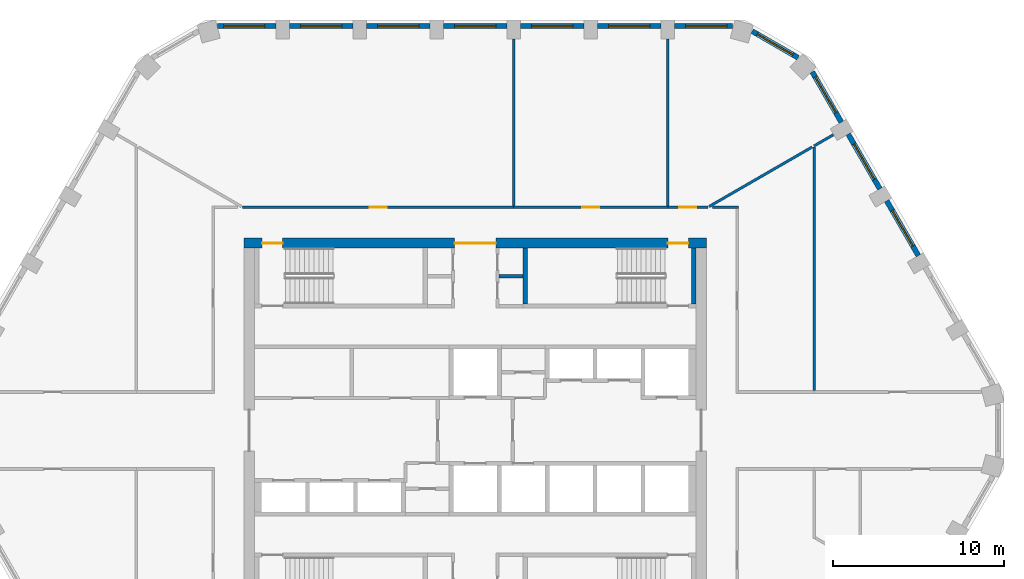
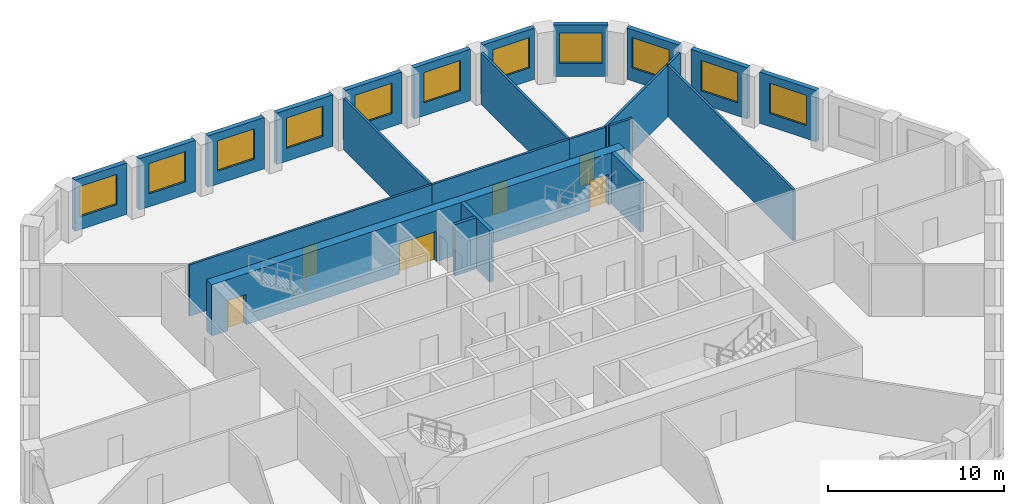
# One storey, part 6 of 8: 24 walls, 11 windows, 6 doors, 17 openings.
"""IFC4 building model written with IfcOpenShell, lengths in metres."""

from ifc_helpers import new_model, si_unit, direction, frame, frame_2d, origin, place, context, subcontext, project, spatial, rectangle, extrude, material, layer, layer_set, type_object, element, fill, save


model = new_model("IFC4")

# Units and contexts
model_context = context("Model", 3, precision=1e-05, world=origin(), true_north=direction((0.0, 1.0)))
body_context = subcontext(model_context, "Body", "Model", "MODEL_VIEW")
ifc_project = project(units=[si_unit("LENGTHUNIT", "METRE"), si_unit("AREAUNIT", "SQUARE_METRE"), si_unit("VOLUMEUNIT", "CUBIC_METRE"), si_unit("PLANEANGLEUNIT", "RADIAN"), si_unit("MASSUNIT", "GRAM", prefix="KILO")], contexts=[model_context])

# Site, building, storey
site_placement = place(None, origin())
site = spatial("IfcSite", under=ifc_project, at=site_placement, CompositionType="ELEMENT")
building_placement = place(site_placement, origin())
building = spatial("IfcBuilding", under=site, at=building_placement, Name="Dhurran Vertical Campus", CompositionType="ELEMENT")
storey_placement = place(building_placement, frame((0.0, 0.0, 219.0)))
storey = spatial("IfcBuildingStorey", under=building, at=storey_placement, Name="L54", CompositionType="ELEMENT", Elevation=219.0)

# Wall, opening, window
ifc_material_1 = material(Name="Precast concrete C50/60", Category="concrete")
ifc_layer_1 = layer(ifc_material_1, 0.300048828125)
ifc_layer_set_1 = layer_set([ifc_layer_1], Name="Precast concrete C50/60")
wall_type_1 = type_object("IfcWallType", Name="Precast spandrel wall 300", PredefinedType="SOLIDWALL", material=ifc_layer_set_1)
wall_1_placement = place(storey_placement, frame((25.893798828125, 10.216064453125, 0.0), z_axis=(0.0, 0.0, 1.0), x_axis=(-0.500029062817, 0.866008623709, 0.0)))
wall_1 = element("IfcWall", 1, at=wall_1_placement, inside=storey, type_object=wall_type_1, Name="EW1 L54.16", PredefinedType="SOLIDWALL", context=body_context, shape_type="SweptSolid", body=[
    extrude(rectangle(XDim=3.698974609375, YDim=0.300048828125, at=frame_2d((1.849609375, 0.0))), origin(), (0.0, 0.0, 1.0), 3.550048828125),
])
opening_1_placement = place(wall_1_placement, frame((0.6494140625, 0.0, 0.89990234375)))
opening_1 = element("IfcOpeningElement", 2, at=opening_1_placement, cuts=wall_1, Name="Opening WT1", PredefinedType="OPENING", context=body_context, shape_type="SweptSolid", body=[
    extrude(rectangle(XDim=2.39990234375, YDim=2.10009765625, at=frame_2d((1.199951171875, 1.050048828125))), frame((0.0, 0.159912109375, 0.0), z_axis=(0.0, -1.0, 0.0), x_axis=(1.0, 0.0, 0.0)), (0.0, 0.0, 1.0), 0.320068359375),
])
ifc_material_2 = material(Name="Aluminium frame with solar-control glass", Category="aluminium")
window_type = type_object("IfcWindowType", Name="Punched window 2400 x 2100", PartitioningType="SINGLE_PANEL", PredefinedType="WINDOW", material=ifc_material_2)
window_1_placement = place(opening_1_placement, origin())
window_1 = element("IfcWindow", 3, at=window_1_placement, inside=storey, type_object=window_type, Name="WT1 L54.16", OverallHeight=2.10009765625, OverallWidth=2.39990234375, PartitioningType="SINGLE_PANEL", PredefinedType="WINDOW", context=body_context, shape_type="SweptSolid", body=[
    extrude(rectangle(XDim=2.39990234375, YDim=2.10009765625, at=frame_2d((1.199951171875, 1.050048828125))), frame((0.0, 0.030029296875, 0.0), z_axis=(0.0, -1.0, 0.0), x_axis=(1.0, 0.0, 0.0)), (0.0, 0.0, 1.0), 0.06005859375),
])
fill(opening_1, window_1)

wall_2_placement = place(storey_placement, frame((23.643798828125, 14.11328125, 0.0), z_axis=(0.0, 0.0, 1.0), x_axis=(-0.500029062817, 0.866008623709, 0.0)))
wall_2 = element("IfcWall", 4, at=wall_2_placement, inside=storey, type_object=wall_type_1, Name="EW1 L54.17", PredefinedType="SOLIDWALL", context=body_context, shape_type="SweptSolid", body=[
    extrude(rectangle(XDim=3.698974609375, YDim=0.300048828125, at=frame_2d((1.849609375, 0.0))), origin(), (0.0, 0.0, 1.0), 3.550048828125),
])
opening_2_placement = place(wall_2_placement, frame((0.6494140625, 0.0, 0.89990234375)))
opening_2 = element("IfcOpeningElement", 5, at=opening_2_placement, cuts=wall_2, Name="Opening WT1", PredefinedType="OPENING", context=body_context, shape_type="SweptSolid", body=[
    extrude(rectangle(XDim=2.39990234375, YDim=2.10009765625, at=frame_2d((1.199951171875, 1.050048828125))), frame((0.0, 0.159912109375, 0.0), z_axis=(0.0, -1.0, 0.0), x_axis=(1.0, 0.0, 0.0)), (0.0, 0.0, 1.0), 0.320068359375),
])
window_2_placement = place(opening_2_placement, origin())
window_2 = element("IfcWindow", 6, at=window_2_placement, inside=storey, type_object=window_type, Name="WT1 L54.17", OverallHeight=2.10009765625, OverallWidth=2.39990234375, PartitioningType="SINGLE_PANEL", PredefinedType="WINDOW", context=body_context, shape_type="SweptSolid", body=[
    extrude(rectangle(XDim=2.39990234375, YDim=2.10009765625, at=frame_2d((1.199951171875, 1.050048828125))), frame((0.0, 0.030029296875, 0.0), z_axis=(0.0, -1.0, 0.0), x_axis=(1.0, 0.0, 0.0)), (0.0, 0.0, 1.0), 0.06005859375),
])
fill(opening_2, window_2)

wall_3_placement = place(storey_placement, frame((21.393798828125, 18.01025390625, 0.0), z_axis=(0.0, 0.0, 1.0), x_axis=(-0.500012868213, 0.866017974191, 0.0)))
wall_3 = element("IfcWall", 7, at=wall_3_placement, inside=storey, type_object=wall_type_1, Name="EW1 L54.18", PredefinedType="SOLIDWALL", context=body_context, shape_type="SweptSolid", body=[
    extrude(rectangle(XDim=3.39599609375, YDim=0.300048828125, at=frame_2d((1.697998046875, 0.0))), origin(), (0.0, 0.0, 1.0), 3.550048828125),
])
opening_3_placement = place(wall_3_placement, frame((0.6494140625, 0.0, 0.89990234375)))
opening_3 = element("IfcOpeningElement", 8, at=opening_3_placement, cuts=wall_3, Name="Opening WT1", PredefinedType="OPENING", context=body_context, shape_type="SweptSolid", body=[
    extrude(rectangle(XDim=2.39990234375, YDim=2.10009765625, at=frame_2d((1.199951171875, 1.050048828125))), frame((0.0, 0.159912109375, 0.0), z_axis=(0.0, -1.0, 0.0), x_axis=(1.0, 0.0, 0.0)), (0.0, 0.0, 1.0), 0.320068359375),
])
window_3_placement = place(opening_3_placement, origin())
window_3 = element("IfcWindow", 9, at=window_3_placement, inside=storey, type_object=window_type, Name="WT1 L54.18", OverallHeight=2.10009765625, OverallWidth=2.39990234375, PartitioningType="SINGLE_PANEL", PredefinedType="WINDOW", context=body_context, shape_type="SweptSolid", body=[
    extrude(rectangle(XDim=2.39990234375, YDim=2.10009765625, at=frame_2d((1.199951171875, 1.050048828125))), frame((0.0, 0.030029296875, 0.0), z_axis=(0.0, -1.0, 0.0), x_axis=(1.0, 0.0, 0.0)), (0.0, 0.0, 1.0), 0.06005859375),
])
fill(opening_3, window_3)

wall_4_placement = place(storey_placement, frame((18.86279296875, 21.7841796875, 0.0), z_axis=(0.0, 0.0, 1.0), x_axis=(-0.865994975416, 0.500052699777, 0.0)))
wall_4 = element("IfcWall", 10, at=wall_4_placement, inside=storey, type_object=wall_type_1, Name="EW1 L54.19", PredefinedType="SOLIDWALL", context=body_context, shape_type="SweptSolid", body=[
    extrude(rectangle(XDim=3.093017578125, YDim=0.300048828125, at=frame_2d((1.54638671875, 0.0))), origin(), (0.0, 0.0, 1.0), 3.550048828125),
])
opening_4_placement = place(wall_4_placement, frame((0.34619140625, 0.0, 0.89990234375)))
opening_4 = element("IfcOpeningElement", 11, at=opening_4_placement, cuts=wall_4, Name="Opening WT1", PredefinedType="OPENING", context=body_context, shape_type="SweptSolid", body=[
    extrude(rectangle(XDim=2.39990234375, YDim=2.10009765625, at=frame_2d((1.199951171875, 1.050048828125))), frame((0.0, 0.159912109375, 0.0), z_axis=(0.0, -1.0, 0.0), x_axis=(1.0, 0.0, 0.0)), (0.0, 0.0, 1.0), 0.320068359375),
])
window_4_placement = place(opening_4_placement, origin())
window_4 = element("IfcWindow", 12, at=window_4_placement, inside=storey, type_object=window_type, Name="WT1 L54.19", OverallHeight=2.10009765625, OverallWidth=2.39990234375, PartitioningType="SINGLE_PANEL", PredefinedType="WINDOW", context=body_context, shape_type="SweptSolid", body=[
    extrude(rectangle(XDim=2.39990234375, YDim=2.10009765625, at=frame_2d((1.199951171875, 1.050048828125))), frame((0.0, 0.030029296875, 0.0), z_axis=(0.0, -1.0, 0.0), x_axis=(1.0, 0.0, 0.0)), (0.0, 0.0, 1.0), 0.06005859375),
])
fill(opening_4, window_4)

wall_5_placement = place(storey_placement, frame((15.04638671875, 23.635498046875, 0.0), z_axis=(0.0, 0.0, 1.0), x_axis=(-1.0, 0.0, 0.0)))
wall_5 = element("IfcWall", 13, at=wall_5_placement, inside=storey, type_object=wall_type_1, Name="EW1 L54.20", PredefinedType="SOLIDWALL", context=body_context, shape_type="SweptSolid", body=[
    extrude(rectangle(XDim=3.39599609375, YDim=0.300048828125, at=frame_2d((1.697998046875, 0.0))), origin(), (0.0, 0.0, 1.0), 3.550048828125),
])
opening_5_placement = place(wall_5_placement, frame((0.34619140625, 0.0, 0.89990234375)))
opening_5 = element("IfcOpeningElement", 14, at=opening_5_placement, cuts=wall_5, Name="Opening WT1", PredefinedType="OPENING", context=body_context, shape_type="SweptSolid", body=[
    extrude(rectangle(XDim=2.39990234375, YDim=2.10009765625, at=frame_2d((1.199951171875, 1.050048828125))), frame((0.0, 0.159912109375, 0.0), z_axis=(0.0, -1.0, 0.0), x_axis=(1.0, 0.0, 0.0)), (0.0, 0.0, 1.0), 0.320068359375),
])
window_5_placement = place(opening_5_placement, origin())
window_5 = element("IfcWindow", 15, at=window_5_placement, inside=storey, type_object=window_type, Name="WT1 L54.20", OverallHeight=2.10009765625, OverallWidth=2.39990234375, PartitioningType="SINGLE_PANEL", PredefinedType="WINDOW", context=body_context, shape_type="SweptSolid", body=[
    extrude(rectangle(XDim=2.39990234375, YDim=2.10009765625, at=frame_2d((1.199951171875, 1.050048828125))), frame((0.0, 0.030029296875, 0.0), z_axis=(0.0, -1.0, 0.0), x_axis=(1.0, 0.0, 0.0)), (0.0, 0.0, 1.0), 0.06005859375),
])
fill(opening_5, window_5)

wall_6_placement = place(storey_placement, frame((10.849609375, 23.635498046875, 0.0), z_axis=(0.0, 0.0, 1.0), x_axis=(-1.0, 0.0, 0.0)))
wall_6 = element("IfcWall", 16, at=wall_6_placement, inside=storey, type_object=wall_type_1, Name="EW1 L54.21", PredefinedType="SOLIDWALL", context=body_context, shape_type="SweptSolid", body=[
    extrude(rectangle(XDim=3.69921875, YDim=0.300048828125, at=frame_2d((1.849609375, 0.0))), origin(), (0.0, 0.0, 1.0), 3.550048828125),
])
opening_6_placement = place(wall_6_placement, frame((0.6494140625, 0.0, 0.89990234375)))
opening_6 = element("IfcOpeningElement", 17, at=opening_6_placement, cuts=wall_6, Name="Opening WT1", PredefinedType="OPENING", context=body_context, shape_type="SweptSolid", body=[
    extrude(rectangle(XDim=2.39990234375, YDim=2.10009765625, at=frame_2d((1.199951171875, 1.050048828125))), frame((0.0, 0.159912109375, 0.0), z_axis=(0.0, -1.0, 0.0), x_axis=(1.0, 0.0, 0.0)), (0.0, 0.0, 1.0), 0.320068359375),
])
window_6_placement = place(opening_6_placement, origin())
window_6 = element("IfcWindow", 18, at=window_6_placement, inside=storey, type_object=window_type, Name="WT1 L54.21", OverallHeight=2.10009765625, OverallWidth=2.39990234375, PartitioningType="SINGLE_PANEL", PredefinedType="WINDOW", context=body_context, shape_type="SweptSolid", body=[
    extrude(rectangle(XDim=2.39990234375, YDim=2.10009765625, at=frame_2d((1.199951171875, 1.050048828125))), frame((0.0, 0.030029296875, 0.0), z_axis=(0.0, -1.0, 0.0), x_axis=(1.0, 0.0, 0.0)), (0.0, 0.0, 1.0), 0.06005859375),
])
fill(opening_6, window_6)

wall_7_placement = place(storey_placement, frame((6.349609375, 23.635498046875, 0.0), z_axis=(0.0, 0.0, 1.0), x_axis=(-1.0, 0.0, 0.0)))
wall_7 = element("IfcWall", 19, at=wall_7_placement, inside=storey, type_object=wall_type_1, Name="EW1 L54.22", PredefinedType="SOLIDWALL", context=body_context, shape_type="SweptSolid", body=[
    extrude(rectangle(XDim=3.69921875, YDim=0.300048828125, at=frame_2d((1.849609375, 0.0))), origin(), (0.0, 0.0, 1.0), 3.550048828125),
])
opening_7_placement = place(wall_7_placement, frame((0.6494140625, 0.0, 0.89990234375)))
opening_7 = element("IfcOpeningElement", 20, at=opening_7_placement, cuts=wall_7, Name="Opening WT1", PredefinedType="OPENING", context=body_context, shape_type="SweptSolid", body=[
    extrude(rectangle(XDim=2.39990234375, YDim=2.10009765625, at=frame_2d((1.199951171875, 1.050048828125))), frame((0.0, 0.159912109375, 0.0), z_axis=(0.0, -1.0, 0.0), x_axis=(1.0, 0.0, 0.0)), (0.0, 0.0, 1.0), 0.320068359375),
])
window_7_placement = place(opening_7_placement, origin())
window_7 = element("IfcWindow", 21, at=window_7_placement, inside=storey, type_object=window_type, Name="WT1 L54.22", OverallHeight=2.10009765625, OverallWidth=2.39990234375, PartitioningType="SINGLE_PANEL", PredefinedType="WINDOW", context=body_context, shape_type="SweptSolid", body=[
    extrude(rectangle(XDim=2.39990234375, YDim=2.10009765625, at=frame_2d((1.199951171875, 1.050048828125))), frame((0.0, 0.030029296875, 0.0), z_axis=(0.0, -1.0, 0.0), x_axis=(1.0, 0.0, 0.0)), (0.0, 0.0, 1.0), 0.06005859375),
])
fill(opening_7, window_7)

wall_8_placement = place(storey_placement, frame((1.849609375, 23.635498046875, 0.0), z_axis=(0.0, 0.0, 1.0), x_axis=(-1.0, 0.0, 0.0)))
wall_8 = element("IfcWall", 22, at=wall_8_placement, inside=storey, type_object=wall_type_1, Name="EW1 L54.23", PredefinedType="SOLIDWALL", context=body_context, shape_type="SweptSolid", body=[
    extrude(rectangle(XDim=3.69921875, YDim=0.300048828125, at=frame_2d((1.849609375, 0.0))), origin(), (0.0, 0.0, 1.0), 3.550048828125),
])
opening_8_placement = place(wall_8_placement, frame((0.6494140625, 0.0, 0.89990234375)))
opening_8 = element("IfcOpeningElement", 23, at=opening_8_placement, cuts=wall_8, Name="Opening WT1", PredefinedType="OPENING", context=body_context, shape_type="SweptSolid", body=[
    extrude(rectangle(XDim=2.39990234375, YDim=2.10009765625, at=frame_2d((1.199951171875, 1.050048828125))), frame((0.0, 0.159912109375, 0.0), z_axis=(0.0, -1.0, 0.0), x_axis=(1.0, 0.0, 0.0)), (0.0, 0.0, 1.0), 0.320068359375),
])
window_8_placement = place(opening_8_placement, origin())
window_8 = element("IfcWindow", 24, at=window_8_placement, inside=storey, type_object=window_type, Name="WT1 L54.23", OverallHeight=2.10009765625, OverallWidth=2.39990234375, PartitioningType="SINGLE_PANEL", PredefinedType="WINDOW", context=body_context, shape_type="SweptSolid", body=[
    extrude(rectangle(XDim=2.39990234375, YDim=2.10009765625, at=frame_2d((1.199951171875, 1.050048828125))), frame((0.0, 0.030029296875, 0.0), z_axis=(0.0, -1.0, 0.0), x_axis=(1.0, 0.0, 0.0)), (0.0, 0.0, 1.0), 0.06005859375),
])
fill(opening_8, window_8)

wall_9_placement = place(storey_placement, frame((-2.650390625, 23.635498046875, 0.0), z_axis=(0.0, 0.0, 1.0), x_axis=(-1.0, 0.0, 0.0)))
wall_9 = element("IfcWall", 25, at=wall_9_placement, inside=storey, type_object=wall_type_1, Name="EW1 L54.24", PredefinedType="SOLIDWALL", context=body_context, shape_type="SweptSolid", body=[
    extrude(rectangle(XDim=3.69921875, YDim=0.300048828125, at=frame_2d((1.849609375, 0.0))), origin(), (0.0, 0.0, 1.0), 3.550048828125),
])
opening_9_placement = place(wall_9_placement, frame((0.6494140625, 0.0, 0.89990234375)))
opening_9 = element("IfcOpeningElement", 26, at=opening_9_placement, cuts=wall_9, Name="Opening WT1", PredefinedType="OPENING", context=body_context, shape_type="SweptSolid", body=[
    extrude(rectangle(XDim=2.39990234375, YDim=2.10009765625, at=frame_2d((1.199951171875, 1.050048828125))), frame((0.0, 0.159912109375, 0.0), z_axis=(0.0, -1.0, 0.0), x_axis=(1.0, 0.0, 0.0)), (0.0, 0.0, 1.0), 0.320068359375),
])
window_9_placement = place(opening_9_placement, origin())
window_9 = element("IfcWindow", 27, at=window_9_placement, inside=storey, type_object=window_type, Name="WT1 L54.24", OverallHeight=2.10009765625, OverallWidth=2.39990234375, PartitioningType="SINGLE_PANEL", PredefinedType="WINDOW", context=body_context, shape_type="SweptSolid", body=[
    extrude(rectangle(XDim=2.39990234375, YDim=2.10009765625, at=frame_2d((1.199951171875, 1.050048828125))), frame((0.0, 0.030029296875, 0.0), z_axis=(0.0, -1.0, 0.0), x_axis=(1.0, 0.0, 0.0)), (0.0, 0.0, 1.0), 0.06005859375),
])
fill(opening_9, window_9)

wall_10_placement = place(storey_placement, frame((-7.150390625, 23.635498046875, 0.0), z_axis=(0.0, 0.0, 1.0), x_axis=(-1.0, 0.0, 0.0)))
wall_10 = element("IfcWall", 28, at=wall_10_placement, inside=storey, type_object=wall_type_1, Name="EW1 L54.25", PredefinedType="SOLIDWALL", context=body_context, shape_type="SweptSolid", body=[
    extrude(rectangle(XDim=3.69921875, YDim=0.300048828125, at=frame_2d((1.849609375, 0.0))), origin(), (0.0, 0.0, 1.0), 3.550048828125),
])
opening_10_placement = place(wall_10_placement, frame((0.6494140625, 0.0, 0.89990234375)))
opening_10 = element("IfcOpeningElement", 29, at=opening_10_placement, cuts=wall_10, Name="Opening WT1", PredefinedType="OPENING", context=body_context, shape_type="SweptSolid", body=[
    extrude(rectangle(XDim=2.39990234375, YDim=2.10009765625, at=frame_2d((1.199951171875, 1.050048828125))), frame((0.0, 0.159912109375, 0.0), z_axis=(0.0, -1.0, 0.0), x_axis=(1.0, 0.0, 0.0)), (0.0, 0.0, 1.0), 0.320068359375),
])
window_10_placement = place(opening_10_placement, origin())
window_10 = element("IfcWindow", 30, at=window_10_placement, inside=storey, type_object=window_type, Name="WT1 L54.25", OverallHeight=2.10009765625, OverallWidth=2.39990234375, PartitioningType="SINGLE_PANEL", PredefinedType="WINDOW", context=body_context, shape_type="SweptSolid", body=[
    extrude(rectangle(XDim=2.39990234375, YDim=2.10009765625, at=frame_2d((1.199951171875, 1.050048828125))), frame((0.0, 0.030029296875, 0.0), z_axis=(0.0, -1.0, 0.0), x_axis=(1.0, 0.0, 0.0)), (0.0, 0.0, 1.0), 0.06005859375),
])
fill(opening_10, window_10)

wall_11_placement = place(storey_placement, frame((-11.650390625, 23.635498046875, 0.0), z_axis=(0.0, 0.0, 1.0), x_axis=(-1.0, 0.0, 0.0)))
wall_11 = element("IfcWall", 31, at=wall_11_placement, inside=storey, type_object=wall_type_1, Name="EW1 L54.26", PredefinedType="SOLIDWALL", context=body_context, shape_type="SweptSolid", body=[
    extrude(rectangle(XDim=3.39599609375, YDim=0.300048828125, at=frame_2d((1.697998046875, 0.0))), origin(), (0.0, 0.0, 1.0), 3.550048828125),
])
opening_11_placement = place(wall_11_placement, frame((0.6494140625, 0.0, 0.89990234375)))
opening_11 = element("IfcOpeningElement", 32, at=opening_11_placement, cuts=wall_11, Name="Opening WT1", PredefinedType="OPENING", context=body_context, shape_type="SweptSolid", body=[
    extrude(rectangle(XDim=2.39990234375, YDim=2.10009765625, at=frame_2d((1.199951171875, 1.050048828125))), frame((0.0, 0.159912109375, 0.0), z_axis=(0.0, -1.0, 0.0), x_axis=(1.0, 0.0, 0.0)), (0.0, 0.0, 1.0), 0.320068359375),
])
window_11_placement = place(opening_11_placement, origin())
window_11 = element("IfcWindow", 33, at=window_11_placement, inside=storey, type_object=window_type, Name="WT1 L54.26", OverallHeight=2.10009765625, OverallWidth=2.39990234375, PartitioningType="SINGLE_PANEL", PredefinedType="WINDOW", context=body_context, shape_type="SweptSolid", body=[
    extrude(rectangle(XDim=2.39990234375, YDim=2.10009765625, at=frame_2d((1.199951171875, 1.050048828125))), frame((0.0, 0.030029296875, 0.0), z_axis=(0.0, -1.0, 0.0), x_axis=(1.0, 0.0, 0.0)), (0.0, 0.0, 1.0), 0.06005859375),
])
fill(opening_11, window_11)

# Wall, openings, doors
ifc_material_3 = material(Name="Concrete C50/60", Category="concrete")
ifc_layer_2 = layer(ifc_material_3, 0.60009765625)
ifc_layer_set_2 = layer_set([ifc_layer_2], Name="Concrete C50/60")
wall_type_2 = type_object("IfcWallType", Name="co-CORE-WALL-C2-600", PredefinedType="SHEAR", material=ifc_layer_set_2)
wall_12_placement = place(storey_placement, frame((-13.5, 10.949951171875, 0.0), z_axis=(0.0, 0.0, 1.0), x_axis=(1.0, 0.0, 0.0)))
wall_12 = element("IfcWall", 34, at=wall_12_placement, inside=storey, type_object=wall_type_2, Name="Core wall N L54", PredefinedType="SHEAR", context=body_context, shape_type="SweptSolid", body=[
    extrude(rectangle(XDim=27.0, YDim=0.60009765625, at=frame_2d((13.5, 0.0))), origin(), (0.0, 0.0, 1.0), 3.550048828125),
])
opening_12_placement = place(wall_12_placement, frame((12.300048828125, 0.0, 0.0)))
opening_12 = element("IfcOpeningElement", 35, at=opening_12_placement, cuts=wall_12, Name="Opening CV1", PredefinedType="OPENING", context=body_context, shape_type="SweptSolid", body=[
    extrude(rectangle(XDim=2.39990234375, YDim=2.10009765625, at=frame_2d((1.199951171875, 1.050048828125))), frame((0.0, 0.31005859375, 0.0), z_axis=(0.0, -1.0, 0.0), x_axis=(1.0, 0.0, 0.0)), (0.0, 0.0, 1.0), 0.6201171875),
])
opening_13_placement = place(wall_12_placement, frame((1.050048828125, 0.0, 0.0)))
opening_13 = element("IfcOpeningElement", 36, at=opening_13_placement, cuts=wall_12, Name="Opening XD1", PredefinedType="OPENING", context=body_context, shape_type="SweptSolid", body=[
    extrude(rectangle(XDim=1.199951171875, YDim=2.10009765625, at=frame_2d((0.60009765625, 1.050048828125))), frame((0.0, 0.31005859375, 0.0), z_axis=(0.0, -1.0, 0.0), x_axis=(1.0, 0.0, 0.0)), (0.0, 0.0, 1.0), 0.6201171875),
])
opening_14_placement = place(wall_12_placement, frame((24.75, 0.0, 0.0)))
opening_14 = element("IfcOpeningElement", 37, at=opening_14_placement, cuts=wall_12, Name="Opening XD2", PredefinedType="OPENING", context=body_context, shape_type="SweptSolid", body=[
    extrude(rectangle(XDim=1.199951171875, YDim=2.10009765625, at=frame_2d((0.60009765625, 1.050048828125))), frame((0.0, 0.31005859375, 0.0), z_axis=(0.0, -1.0, 0.0), x_axis=(1.0, 0.0, 0.0)), (0.0, 0.0, 1.0), 0.6201171875),
])
ifc_material_4 = material(Name="Fire-rated glazed door set")
door_type_1 = type_object("IfcDoorType", Name="co-D-LOBBY 2400x2100", OperationType="DOUBLE_DOOR_DOUBLE_SWING", PredefinedType="DOOR", material=ifc_material_4)
door_1_placement = place(opening_12_placement, origin())
door_1 = element("IfcDoor", 38, at=door_1_placement, inside=storey, type_object=door_type_1, Name="Core vestibule door N L54", OperationType="DOUBLE_DOOR_DOUBLE_SWING", OverallHeight=2.10009765625, OverallWidth=2.39990234375, PredefinedType="DOOR", context=body_context, shape_type="SweptSolid", body=[
    extrude(rectangle(XDim=2.39990234375, YDim=2.10009765625, at=frame_2d((1.199951171875, 1.050048828125))), frame((0.0, 0.02490234375, 0.0), z_axis=(0.0, -1.0, 0.0), x_axis=(1.0, 0.0, 0.0)), (0.0, 0.0, 1.0), 0.050048828125),
])
fill(opening_12, door_1)
ifc_material_5 = material(Name="Fire-rated steel door set", Category="steel")
door_type_2 = type_object("IfcDoorType", Name="co-D-STAIR-EXIT 1200x2100", OperationType="SINGLE_SWING_RIGHT", PredefinedType="DOOR", material=ifc_material_5)
door_2_placement = place(opening_13_placement, origin())
door_2 = element("IfcDoor", 39, at=door_2_placement, inside=storey, type_object=door_type_2, Name="Stair ST1 exit door L54", OperationType="SINGLE_SWING_RIGHT", OverallHeight=2.10009765625, OverallWidth=1.199951171875, PredefinedType="DOOR", context=body_context, shape_type="SweptSolid", body=[
    extrude(rectangle(XDim=1.199951171875, YDim=2.10009765625, at=frame_2d((0.60009765625, 1.050048828125))), frame((0.0, 0.02490234375, 0.0), z_axis=(0.0, -1.0, 0.0), x_axis=(1.0, 0.0, 0.0)), (0.0, 0.0, 1.0), 0.050048828125),
])
fill(opening_13, door_2)
door_3_placement = place(opening_14_placement, origin())
door_3 = element("IfcDoor", 40, at=door_3_placement, inside=storey, type_object=door_type_2, Name="Stair ST2 exit door L54", OperationType="SINGLE_SWING_RIGHT", OverallHeight=2.10009765625, OverallWidth=1.199951171875, PredefinedType="DOOR", context=body_context, shape_type="SweptSolid", body=[
    extrude(rectangle(XDim=1.199951171875, YDim=2.10009765625, at=frame_2d((0.60009765625, 1.050048828125))), frame((0.0, 0.02490234375, 0.0), z_axis=(0.0, -1.0, 0.0), x_axis=(1.0, 0.0, 0.0)), (0.0, 0.0, 1.0), 0.050048828125),
])
fill(opening_14, door_3)

# Walls
ifc_material_6 = material(Name="Fire-rated masonry blockwork", Category="masonry")
ifc_layer_3 = layer(ifc_material_6, 0.199951171875)
ifc_layer_set_3 = layer_set([ifc_layer_3], Name="Fire-rated masonry blockwork")
wall_type_3 = type_object("IfcWallType", Name="co-FIRE-PARTITION-200", PredefinedType="PARTITIONING", material=ifc_layer_set_3)
wall_13_placement = place(storey_placement, frame((1.39990234375, 9.0, 0.0), z_axis=(0.0, 0.0, 1.0), x_axis=(1.0, 0.0, 0.0)))
element("IfcWall", 41, at=wall_13_placement, inside=storey, type_object=wall_type_3, Name="Core partition sl-NE-cut0 L54", PredefinedType="PARTITIONING", context=body_context, shape_type="SweptSolid", body=[
    extrude(rectangle(XDim=1.400146484375, YDim=0.199951171875, at=frame_2d((0.7001953125, 0.0))), origin(), (0.0, 0.0, 1.0), 3.550048828125),
])
ifc_material_7 = material(Name="Concrete C40/50", Category="concrete")
ifc_layer_4 = layer(ifc_material_7, 0.25)
ifc_layer_set_4 = layer_set([ifc_layer_4], Name="Concrete C40/50")
wall_type_4 = type_object("IfcWallType", Name="co-STAIR-WALL-250", PredefinedType="SHEAR", material=ifc_layer_set_4)
for number, where, z_axis, x_axis, name in (
    (42, (2.925048828125, 7.39990234375, 0.0), (0.0, 0.0, 1.0), (0.0, 1.0, 0.0), "Stair ST2 enclosure wall L54"),
    (43, (12.77490234375, 7.39990234375, 0.0), (0.0, 0.0, 1.0), (0.0, 1.0, 0.0), "Stair ST2 enclosure wall L54"),
):
    element("IfcWall", number, at=place(storey_placement, frame(where, z_axis=z_axis, x_axis=x_axis)), inside=storey, type_object=wall_type_4, Name=name, PredefinedType="SHEAR", context=body_context, shape_type="SweptSolid", body=[
        extrude(rectangle(XDim=3.25, YDim=0.25, at=frame_2d((1.625, 0.0))), origin(), (0.0, 0.0, 1.0), 3.550048828125),
    ])

# Wall, opening, door
ifc_material_8 = material(Name="Gypsum board corridor wall on steel studs", Category="steel")
ifc_layer_5 = layer(ifc_material_8, 0.14990234375)
ifc_layer_set_5 = layer_set([ifc_layer_5], Name="Gypsum board corridor wall on steel studs")
wall_type_5 = type_object("IfcWallType", Name="fl-CW-150 corridor wall", PredefinedType="PARTITIONING", material=ifc_layer_set_5)
wall_14_placement = place(storey_placement, frame((2.25, 13.050048828125, 0.0), z_axis=(0.0, 0.0, 1.0), x_axis=(-1.0, 0.0, 0.0)))
wall_14 = element("IfcWall", 44, at=wall_14_placement, inside=storey, type_object=wall_type_5, Name="Partition 54-16", PredefinedType="PARTITIONING", context=body_context, shape_type="SweptSolid", body=[
    extrude(rectangle(XDim=15.85302734375, YDim=0.14990234375, at=frame_2d((7.926513671875, 0.0))), origin(), (0.0, 0.0, 1.0), 3.550048828125),
])
opening_15_placement = place(wall_14_placement, frame((7.426513671875, 0.0, 0.0)))
opening_15 = element("IfcOpeningElement", 45, at=opening_15_placement, cuts=wall_14, Name="Opening T16.06", PredefinedType="OPENING", context=body_context, shape_type="SweptSolid", body=[
    extrude(rectangle(XDim=1.0, YDim=2.10009765625, at=frame_2d((0.5, 1.050048828125))), frame((0.0, 0.0849609375, 0.0), z_axis=(0.0, -1.0, 0.0), x_axis=(1.0, 0.0, 0.0)), (0.0, 0.0, 1.0), 0.169921875),
])
ifc_material_9 = material(Name="Solid-core timber door set, fire-rated", Category="wood")
door_type_3 = type_object("IfcDoorType", Name="fl-D-1000x2100", OperationType="SINGLE_SWING_LEFT", PredefinedType="DOOR", material=ifc_material_9)
door_4_placement = place(opening_15_placement, origin())
door_4 = element("IfcDoor", 46, at=door_4_placement, inside=storey, type_object=door_type_3, Name="Door 54.06", OperationType="SINGLE_SWING_RIGHT", OverallHeight=2.10009765625, OverallWidth=1.0, PredefinedType="DOOR", context=body_context, shape_type="SweptSolid", body=[
    extrude(rectangle(XDim=1.0, YDim=2.10009765625, at=frame_2d((0.5, 1.050048828125))), frame((0.0, 0.02490234375, 0.0), z_axis=(0.0, -1.0, 0.0), x_axis=(1.0, 0.0, 0.0)), (0.0, 0.0, 1.0), 0.050048828125),
])
fill(opening_15, door_4)

wall_15_placement = place(storey_placement, frame((11.25, 13.050048828125, 0.0), z_axis=(0.0, 0.0, 1.0), x_axis=(-1.0, 0.0, 0.0)))
wall_15 = element("IfcWall", 47, at=wall_15_placement, inside=storey, type_object=wall_type_5, Name="Partition 54-20", PredefinedType="PARTITIONING", context=body_context, shape_type="SweptSolid", body=[
    extrude(rectangle(XDim=9.0, YDim=0.14990234375, at=frame_2d((4.5, 0.0))), origin(), (0.0, 0.0, 1.0), 3.550048828125),
])
opening_16_placement = place(wall_15_placement, frame((4.0, 0.0, 0.0)))
opening_16 = element("IfcOpeningElement", 48, at=opening_16_placement, cuts=wall_15, Name="Opening T16.07", PredefinedType="OPENING", context=body_context, shape_type="SweptSolid", body=[
    extrude(rectangle(XDim=1.0, YDim=2.10009765625, at=frame_2d((0.5, 1.050048828125))), frame((0.0, 0.0849609375, 0.0), z_axis=(0.0, -1.0, 0.0), x_axis=(1.0, 0.0, 0.0)), (0.0, 0.0, 1.0), 0.169921875),
])
door_5_placement = place(opening_16_placement, origin())
door_5 = element("IfcDoor", 49, at=door_5_placement, inside=storey, type_object=door_type_3, Name="Door 54.07", OperationType="SINGLE_SWING_LEFT", OverallHeight=2.10009765625, OverallWidth=1.0, PredefinedType="DOOR", context=body_context, shape_type="SweptSolid", body=[
    extrude(rectangle(XDim=1.0, YDim=2.10009765625, at=frame_2d((0.5, 1.050048828125))), frame((0.0, 0.02490234375, 0.0), z_axis=(0.0, -1.0, 0.0), x_axis=(1.0, 0.0, 0.0)), (0.0, 0.0, 1.0), 0.050048828125),
])
fill(opening_16, door_5)

wall_16_placement = place(storey_placement, frame((13.60302734375, 13.050048828125, 0.0), z_axis=(0.0, 0.0, 1.0), x_axis=(-1.0, 0.0, 0.0)))
wall_16 = element("IfcWall", 50, at=wall_16_placement, inside=storey, type_object=wall_type_5, Name="Partition 54-24", PredefinedType="PARTITIONING", context=body_context, shape_type="SweptSolid", body=[
    extrude(rectangle(XDim=2.35302734375, YDim=0.14990234375, at=frame_2d((1.176513671875, 0.0))), origin(), (0.0, 0.0, 1.0), 3.550048828125),
])
opening_17_placement = place(wall_16_placement, frame((0.676513671875, 0.0, 0.0)))
opening_17 = element("IfcOpeningElement", 51, at=opening_17_placement, cuts=wall_16, Name="Opening T16.09", PredefinedType="OPENING", context=body_context, shape_type="SweptSolid", body=[
    extrude(rectangle(XDim=1.0, YDim=2.10009765625, at=frame_2d((0.5, 1.050048828125))), frame((0.0, 0.0849609375, 0.0), z_axis=(0.0, -1.0, 0.0), x_axis=(1.0, 0.0, 0.0)), (0.0, 0.0, 1.0), 0.169921875),
])
door_6_placement = place(opening_17_placement, origin())
door_6 = element("IfcDoor", 52, at=door_6_placement, inside=storey, type_object=door_type_3, Name="Door 54.09", OperationType="SINGLE_SWING_LEFT", OverallHeight=2.10009765625, OverallWidth=1.0, PredefinedType="DOOR", context=body_context, shape_type="SweptSolid", body=[
    extrude(rectangle(XDim=1.0, YDim=2.10009765625, at=frame_2d((0.5, 1.050048828125))), frame((0.0, 0.02490234375, 0.0), z_axis=(0.0, -1.0, 0.0), x_axis=(1.0, 0.0, 0.0)), (0.0, 0.0, 1.0), 0.050048828125),
])
fill(opening_17, door_6)

# Walls
wall_17_placement = place(storey_placement, frame((15.375, 13.050048828125, 0.0), z_axis=(0.0, 0.0, 1.0), x_axis=(-1.0, 0.0, 0.0)))
element("IfcWall", 53, at=wall_17_placement, inside=storey, type_object=wall_type_5, Name="Partition 54-25", PredefinedType="PARTITIONING", context=body_context, shape_type="SweptSolid", body=[
    extrude(rectangle(XDim=1.4970703125, YDim=0.14990234375, at=frame_2d((0.74853515625, 0.0))), origin(), (0.0, 0.0, 1.0), 3.550048828125),
])
ifc_material_10 = material(Name="Folding acoustic partition panels")
ifc_layer_6 = layer(ifc_material_10, 0.14990234375)
ifc_layer_set_6 = layer_set([ifc_layer_6], Name="Folding acoustic partition panels")
wall_type_6 = type_object("IfcWallType", Name="fl-MW-150 movable partition", PredefinedType="MOVABLE", material=ifc_layer_set_6)
wall_18_placement = place(storey_placement, frame((11.25, 22.865478515625, 0.0), z_axis=(0.0, 0.0, 1.0), x_axis=(0.0, -1.0, 0.0)))
element("IfcWall", 54, at=wall_18_placement, inside=storey, type_object=wall_type_6, Name="Partition 54-23", PredefinedType="MOVABLE", context=body_context, shape_type="SweptSolid", body=[
    extrude(rectangle(XDim=9.740478515625, YDim=0.14990234375, at=frame_2d((4.8701171875, 0.0))), origin(), (0.0, 0.0, 1.0), 3.550048828125),
])
wall_19_placement = place(storey_placement, frame((20.92724609375, 17.2783203125, 0.0), z_axis=(0.0, 0.0, 1.0), x_axis=(-0.866157475642, -0.499771175029, 0.0)))
element("IfcWall", 55, at=wall_19_placement, inside=storey, type_object=wall_type_6, Name="Partition 54-36", PredefinedType="MOVABLE", context=body_context, shape_type="SweptSolid", body=[
    extrude(rectangle(XDim=1.30126953125, YDim=0.14990234375, at=frame_2d((0.650634765625, 0.0))), origin(), (0.0, 0.0, 1.0), 3.550048828125),
])
ifc_material_11 = material(Name="Gypsum board partition on steel studs", Category="steel")
ifc_layer_7 = layer(ifc_material_11, 0.14990234375)
ifc_layer_set_7 = layer_set([ifc_layer_7], Name="Gypsum board partition on steel studs")
wall_type_7 = type_object("IfcWallType", Name="fl-PW-150 fixed partition", PredefinedType="PARTITIONING", material=ifc_layer_set_7)
wall_20_placement = place(storey_placement, frame((2.25, 22.865478515625, 0.0), z_axis=(0.0, 0.0, 1.0), x_axis=(0.0, -1.0, 0.0)))
element("IfcWall", 56, at=wall_20_placement, inside=storey, type_object=wall_type_7, Name="Partition 54-19", PredefinedType="PARTITIONING", context=body_context, shape_type="SweptSolid", body=[
    extrude(rectangle(XDim=9.740478515625, YDim=0.14990234375, at=frame_2d((4.8701171875, 0.0))), origin(), (0.0, 0.0, 1.0), 3.550048828125),
])
wall_21_placement = place(storey_placement, frame((19.6875, 16.56298828125, 0.0), z_axis=(0.0, 0.0, 1.0), x_axis=(-0.866012448988, -0.500022437694, 0.0)))
element("IfcWall", 57, at=wall_21_placement, inside=storey, type_object=wall_type_7, Name="Partition 54-26", PredefinedType="PARTITIONING", context=body_context, shape_type="SweptSolid", body=[
    extrude(rectangle(XDim=6.950927734375, YDim=0.14990234375, at=frame_2d((3.4755859375, 0.0))), origin(), (0.0, 0.0, 1.0), 3.550048828125),
])
wall_22_placement = place(storey_placement, frame((19.800048828125, 16.552978515625, 0.0), z_axis=(0.0, 0.0, 1.0), x_axis=(0.0, -1.0, 0.0)))
element("IfcWall", 58, at=wall_22_placement, inside=storey, type_object=wall_type_7, Name="Partition 54-34", PredefinedType="PARTITIONING", context=body_context, shape_type="SweptSolid", body=[
    extrude(rectangle(XDim=14.22802734375, YDim=0.14990234375, at=frame_2d((7.114013671875, 0.0))), origin(), (0.0, 0.0, 1.0), 3.550048828125),
])

save(model, "model.ifc")
